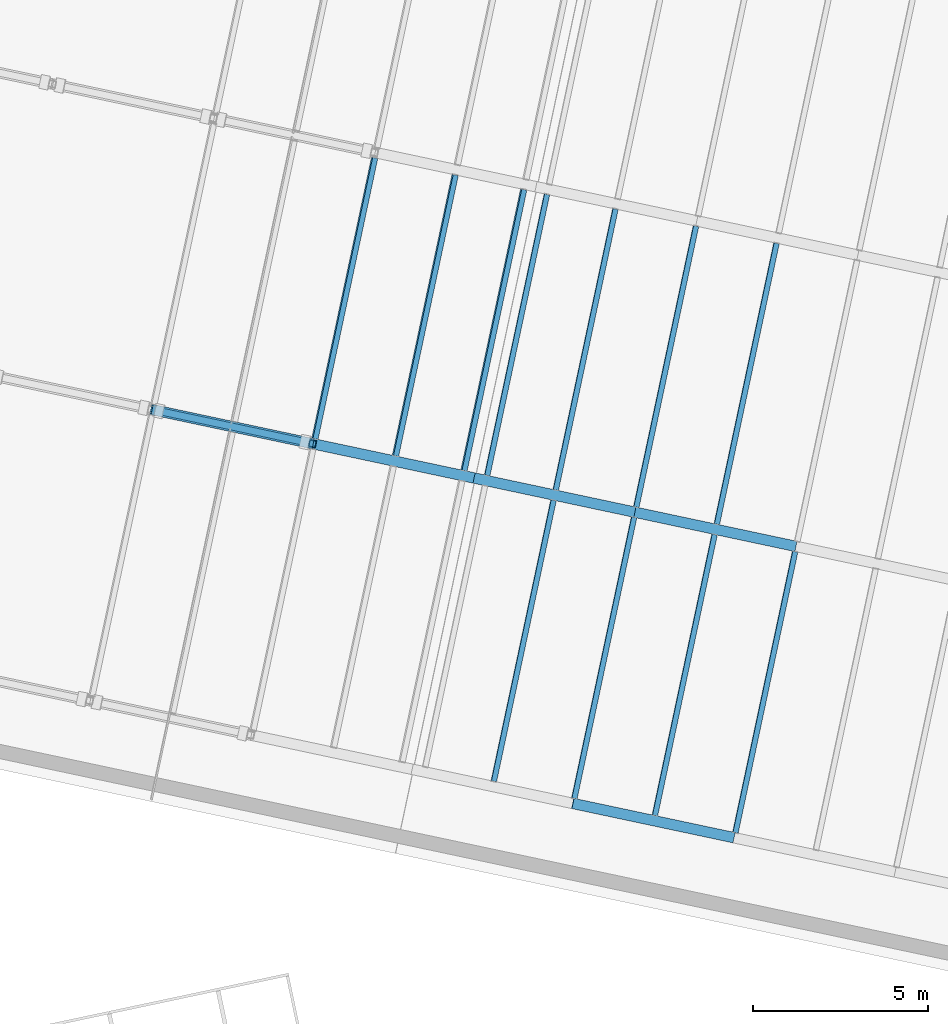
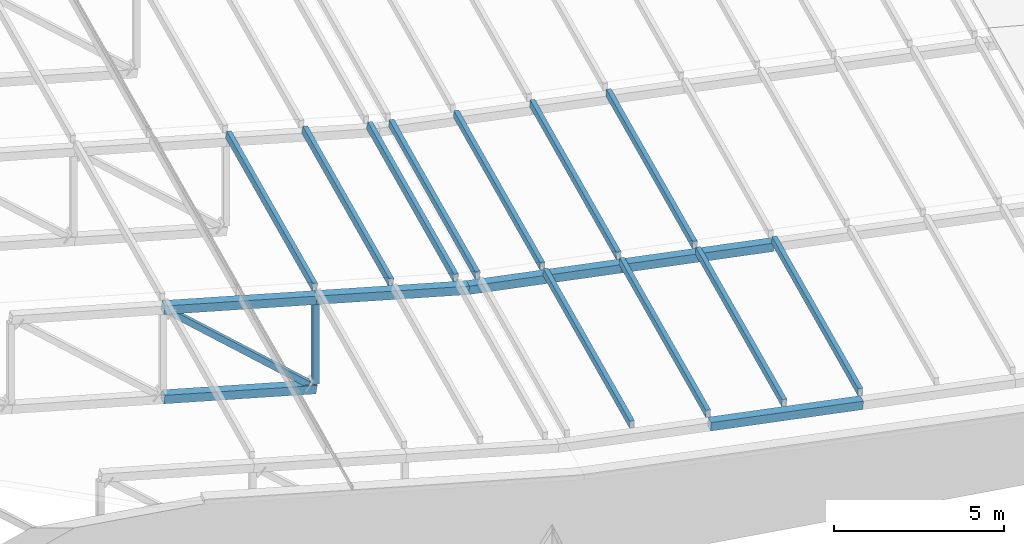
# One storey, part 51 of 196: 19 members.
"""IFC4 building model written with IfcOpenShell, lengths in metres."""

from ifc_helpers import new_model, si_unit, direction, frame, origin, origin_2d, place, context, subcontext, project, spatial, hollow_rectangle, extrude, material, material_profile, profile_set, type_object, element, save


model = new_model("IFC4")

# Units and contexts
model_context = context("Model", 3, precision=1e-05, world=origin(), true_north=direction((0.0, 1.0)))
body_context = subcontext(model_context, "Body", "Model", "MODEL_VIEW")
ifc_project = project(units=[si_unit("LENGTHUNIT", "METRE"), si_unit("AREAUNIT", "SQUARE_METRE"), si_unit("VOLUMEUNIT", "CUBIC_METRE"), si_unit("PLANEANGLEUNIT", "RADIAN"), si_unit("MASSUNIT", "GRAM", prefix="KILO")], contexts=[model_context])

# Site, building, storey
site_placement = place(None, origin())
site = spatial("IfcSite", under=ifc_project, at=site_placement, CompositionType="ELEMENT")
building_placement = place(site_placement, origin())
building = spatial("IfcBuilding", under=site, at=building_placement, Name="Okhra Congress Centre", CompositionType="ELEMENT")
storey_placement = place(building_placement, frame((0.0, 0.0, 12.0)))
storey = spatial("IfcBuildingStorey", under=building, at=storey_placement, Name="L02", CompositionType="ELEMENT", Elevation=12.0)

# Members
ifc_material = material(Name="Steel S355J2", Category="steel")
ifc_material_profile_1 = material_profile(ifc_material, hollow_rectangle(XDim=0.14990234375, YDim=0.25, WallThickness=0.008056640625, at=origin_2d()), Name="RHS 250x150x8")
ifc_profile_set_1 = profile_set([ifc_material_profile_1], Name="Steel S355J2")
member_type_1 = type_object("IfcMemberType", Name="Steel roof purlin RHS 250x150x8", PredefinedType="PURLIN", material=ifc_profile_set_1)
for number, where, z_axis, x_axis, name in (
    (1, (220.682861328125, 91.420654296875, 3.094970703125), (0.207908251916, 0.978148331689, 0.0), (-0.976807813395, 0.207623320882, 0.052335956243), "Roof purlin 1.11"),
    (2, (222.9814453125, 90.93212890625, 2.971923828125), (0.207908251916, 0.978148331689, 0.0), (-0.976807813395, 0.207623320882, 0.052335956243), "Roof purlin 1.12"),
):
    element("IfcMember", number, at=place(storey_placement, frame(where, z_axis=z_axis, x_axis=x_axis)), inside=storey, type_object=member_type_1, Name=name, PredefinedType="PURLIN", context=body_context, shape_type="SweptSolid", body=[
        extrude(hollow_rectangle(XDim=0.14990234375, YDim=0.25, WallThickness=0.008056640625, at=origin_2d()), origin(), (0.0, 0.0, 1.0), 8.199951171875),
    ])
member_1_placement = place(storey_placement, frame((225.280029296875, 90.443359375, 2.848876953125), z_axis=(0.2079021972, 0.978149618616, 0.0), x_axis=(-0.976809098559, 0.207617274464, 0.052335956243)))
element("IfcMember", 3, at=member_1_placement, inside=storey, type_object=member_type_1, Name="Roof purlin 1.13", PredefinedType="PURLIN", context=body_context, shape_type="SweptSolid", body=[
    extrude(hollow_rectangle(XDim=0.14990234375, YDim=0.25, WallThickness=0.008056640625, at=origin_2d()), origin(), (0.0, 0.0, 1.0), 8.2001953125),
])
for number, where, z_axis, x_axis, name in (
    (4, (227.57861328125, 89.954833984375, 2.7255859375), (0.207936738153, 0.978142276423, 0.0), (-0.976801766428, 0.20765176808, 0.052335956243), "Roof purlin 1.14"),
    (5, (215.577392578125, 101.19580078125, 3.87646484375), (0.207908251916, 0.978148331689, 0.0), (-0.968629059364, 0.2058849031, 0.13917310096), "Roof purlin 2.7"),
):
    element("IfcMember", number, at=place(storey_placement, frame(where, z_axis=z_axis, x_axis=x_axis)), inside=storey, type_object=member_type_1, Name=name, PredefinedType="PURLIN", context=body_context, shape_type="SweptSolid", body=[
        extrude(hollow_rectangle(XDim=0.14990234375, YDim=0.25, WallThickness=0.008056640625, at=origin_2d()), origin(), (0.0, 0.0, 1.0), 8.199951171875),
    ])
member_2_placement = place(storey_placement, frame((217.8759765625, 100.70703125, 3.546142578125), z_axis=(0.207930682682, 0.978143563696, 0.0), x_axis=(-0.968624337773, 0.205907115572, 0.13917310096)))
element("IfcMember", 6, at=member_2_placement, inside=storey, type_object=member_type_1, Name="Roof purlin 2.8", PredefinedType="PURLIN", context=body_context, shape_type="SweptSolid", body=[
    extrude(hollow_rectangle(XDim=0.14990234375, YDim=0.25, WallThickness=0.008056640625, at=origin_2d()), origin(), (0.0, 0.0, 1.0), 8.2001953125),
])
member_3_placement = place(storey_placement, frame((219.832275390625, 100.291259765625, 3.26513671875), z_axis=(0.207936738153, 0.978142276423, 0.0), x_axis=(-0.968623063028, 0.205913112111, 0.13917310096)))
element("IfcMember", 7, at=member_3_placement, inside=storey, type_object=member_type_1, Name="Roof purlin 2.9", PredefinedType="PURLIN", context=body_context, shape_type="SweptSolid", body=[
    extrude(hollow_rectangle(XDim=0.14990234375, YDim=0.25, WallThickness=0.008056640625, at=origin_2d()), origin(), (0.0, 0.0, 1.0), 8.199951171875),
])
member_4_placement = place(storey_placement, frame((220.49365234375, 100.150634765625, 3.199951171875), z_axis=(0.2079021972, 0.978149618616, 0.0), x_axis=(-0.976809098559, 0.207617274464, 0.052335956243)))
element("IfcMember", 8, at=member_4_placement, inside=storey, type_object=member_type_1, Name="Roof purlin 2.10", PredefinedType="PURLIN", context=body_context, shape_type="SweptSolid", body=[
    extrude(hollow_rectangle(XDim=0.14990234375, YDim=0.25, WallThickness=0.008056640625, at=origin_2d()), origin(), (0.0, 0.0, 1.0), 8.2001953125),
])
for number, where, z_axis, x_axis, name in (
    (9, (222.449951171875, 99.73486328125, 3.094970703125), (0.207908251916, 0.978148331689, 0.0), (-0.976807813395, 0.207623320882, 0.052335956243), "Roof purlin 2.11"),
    (10, (224.748779296875, 99.246337890625, 2.971923828125), (0.207908251916, 0.978148331689, 0.0), (-0.976807813395, 0.207623320882, 0.052335956243), "Roof purlin 2.12"),
    (11, (227.04736328125, 98.7578125, 2.848876953125), (0.207908251916, 0.978148331689, 0.0), (-0.976807813395, 0.207623320882, 0.052335956243), "Roof purlin 2.13"),
):
    element("IfcMember", number, at=place(storey_placement, frame(where, z_axis=z_axis, x_axis=x_axis)), inside=storey, type_object=member_type_1, Name=name, PredefinedType="PURLIN", context=body_context, shape_type="SweptSolid", body=[
        extrude(hollow_rectangle(XDim=0.14990234375, YDim=0.25, WallThickness=0.008056640625, at=origin_2d()), origin(), (0.0, 0.0, 1.0), 8.199951171875),
    ])
ifc_material_profile_2 = material_profile(ifc_material, hollow_rectangle(XDim=0.300048828125, YDim=0.300048828125, WallThickness=0.01611328125, at=origin_2d()), Name="RHS 300x300x16")
ifc_profile_set_2 = profile_set([ifc_material_profile_2], Name="Steel S355J2")
member_type_2 = type_object("IfcMemberType", Name="Steel truss chord RHS 300x300x16", PredefinedType="CHORD", material=ifc_profile_set_2)
member_5_placement = place(storey_placement, frame((222.936279296875, 90.788330078125, 2.697265625), z_axis=(0.976800887128, -0.207654484927, -0.052341587632), x_axis=(0.207939520185, 0.978141685005, 0.0)))
element("IfcMember", 12, at=member_5_placement, inside=storey, type_object=member_type_2, Name="Hall truss 1 top chord 6", PredefinedType="CHORD", context=body_context, shape_type="SweptSolid", body=[
    extrude(hollow_rectangle(XDim=0.300048828125, YDim=0.300048828125, WallThickness=0.01611328125, at=origin_2d()), origin(), (0.0, 0.0, 1.0), 4.706298828125),
])
for number, where, z_axis, x_axis, name in (
    (13, (210.91162109375, 102.0341796875, 1.064697265625), (0.968619162901, -0.205915162458, -0.139197209496), (0.207939520185, 0.978141685005, 0.0), "Hall truss 2 bottom chord 3"),
    (14, (210.91162109375, 102.0341796875, 4.2646484375), (0.96862609733, -0.205916636623, -0.139146765442), (0.207939520185, 0.978141685005, 0.0), "Hall truss 2 top chord 3"),
):
    element("IfcMember", number, at=place(storey_placement, frame(where, z_axis=z_axis, x_axis=x_axis)), inside=storey, type_object=member_type_2, Name=name, PredefinedType="CHORD", context=body_context, shape_type="SweptSolid", body=[
        extrude(hollow_rectangle(XDim=0.300048828125, YDim=0.300048828125, WallThickness=0.01611328125, at=origin_2d()), origin(), (0.0, 0.0, 1.0), 4.74609375),
    ])
member_6_placement = place(storey_placement, frame((215.5087890625, 101.056884765625, 3.604248046875), z_axis=(0.968632598297, -0.205855645392, -0.139191748234), x_axis=(0.207879256857, 0.978154494223, 0.0)))
element("IfcMember", 15, at=member_6_placement, inside=storey, type_object=member_type_2, Name="Hall truss 2 top chord 4", PredefinedType="CHORD", context=body_context, shape_type="SweptSolid", body=[
    extrude(hollow_rectangle(XDim=0.300048828125, YDim=0.300048828125, WallThickness=0.01611328125, at=origin_2d()), origin(), (0.0, 0.0, 1.0), 4.746337890625),
])
member_7_placement = place(storey_placement, frame((220.106201171875, 100.079833984375, 2.943603515625), z_axis=(0.976800887128, -0.207654484927, -0.052341587632), x_axis=(0.207939520185, 0.978141685005, 0.0)))
element("IfcMember", 16, at=member_7_placement, inside=storey, type_object=member_type_2, Name="Hall truss 2 top chord 5", PredefinedType="CHORD", context=body_context, shape_type="SweptSolid", body=[
    extrude(hollow_rectangle(XDim=0.300048828125, YDim=0.300048828125, WallThickness=0.01611328125, at=origin_2d()), origin(), (0.0, 0.0, 1.0), 4.706298828125),
])
member_8_placement = place(storey_placement, frame((224.703369140625, 99.1025390625, 2.697265625), z_axis=(0.976813785854, -0.20759432696, -0.052339499226), x_axis=(0.207879256857, 0.978154494223, 0.0)))
element("IfcMember", 17, at=member_8_placement, inside=storey, type_object=member_type_2, Name="Hall truss 2 top chord 6", PredefinedType="CHORD", context=body_context, shape_type="SweptSolid", body=[
    extrude(hollow_rectangle(XDim=0.300048828125, YDim=0.300048828125, WallThickness=0.01611328125, at=origin_2d()), origin(), (0.0, 0.0, 1.0), 4.70654296875),
])
ifc_material_profile_3 = material_profile(ifc_material, hollow_rectangle(XDim=0.199951171875, YDim=0.199951171875, WallThickness=0.010009765625, at=origin_2d()), Name="RHS 200x200x10 diagonal")
ifc_profile_set_3 = profile_set([ifc_material_profile_3], Name="Steel S355J2")
member_type_3 = type_object("IfcMemberType", Name="Steel truss diagonal RHS 200x200x10", PredefinedType="BRACE", material=ifc_profile_set_3)
member_9_placement = place(storey_placement, frame((211.135009765625, 101.986572265625, 4.076904296875), z_axis=(0.75586961912, -0.160644525522, -0.634708165467), x_axis=(0.207886281963, 0.978153001208, 0.0)))
element("IfcMember", 18, at=member_9_placement, inside=storey, type_object=member_type_3, Name="Hall truss 2 diagonal 3", PredefinedType="BRACE", context=body_context, shape_type="SweptSolid", body=[
    extrude(hollow_rectangle(XDim=0.199951171875, YDim=0.199951171875, WallThickness=0.010009765625, at=origin_2d()), origin(), (0.0, 0.0, 1.0), 5.490966796875),
])
ifc_material_profile_4 = material_profile(ifc_material, hollow_rectangle(XDim=0.199951171875, YDim=0.199951171875, WallThickness=0.010009765625, at=origin_2d()), Name="RHS 200x200x10")
ifc_profile_set_4 = profile_set([ifc_material_profile_4], Name="Steel S355J2")
member_type_4 = type_object("IfcMemberType", Name="Steel truss post RHS 200x200x10", PredefinedType="POST", material=ifc_profile_set_4)
member_10_placement = place(storey_placement, frame((215.5087890625, 101.056884765625, 0.5556640625), z_axis=(0.0, 0.0, 1.0), x_axis=(0.978147600734, -0.207911690818, 0.0)))
element("IfcMember", 19, at=member_10_placement, inside=storey, type_object=member_type_4, Name="Hall truss 2 post 4", PredefinedType="POST", context=body_context, shape_type="SweptSolid", body=[
    extrude(hollow_rectangle(XDim=0.199951171875, YDim=0.199951171875, WallThickness=0.010009765625, at=origin_2d()), origin(), (0.0, 0.0, 1.0), 2.89697265625),
])

save(model, "model.ifc")
